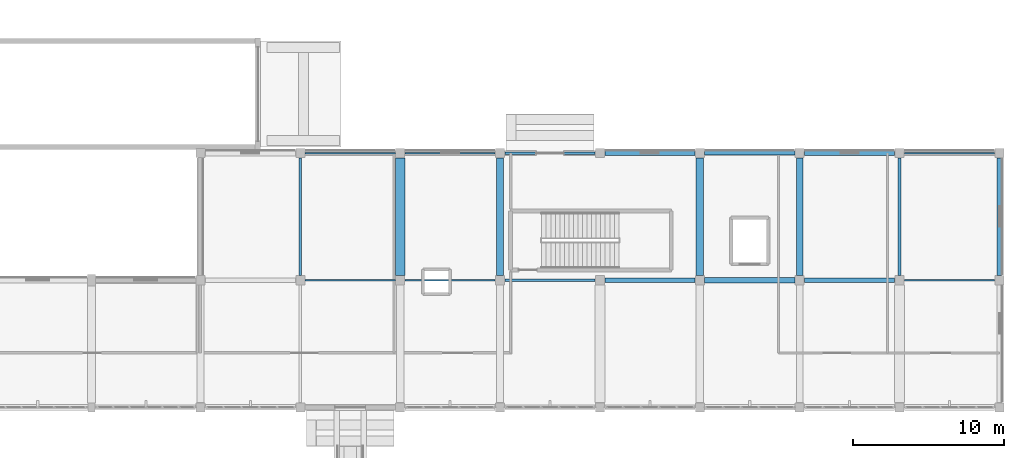
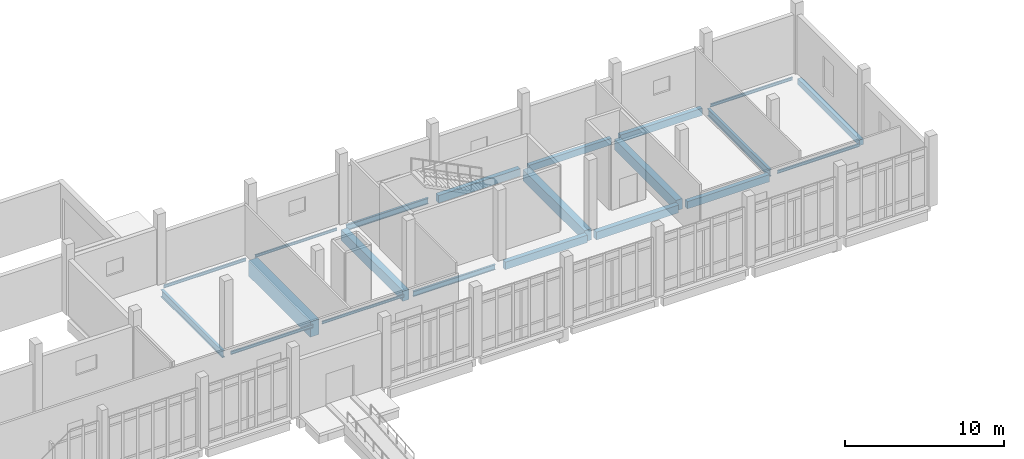
# One storey, part 67 of 110: 21 beams.
"""IFC4 building model written with IfcOpenShell, lengths in metres."""

from ifc_helpers import new_model, si_unit, direction, frame, origin, origin_2d, place, context, subcontext, project, spatial, rectangle, i_section, extrude, material, material_profile, profile_set, type_object, element, save


model = new_model("IFC4")

# Units and contexts
model_context = context("Model", 3, precision=1e-05, world=origin(), true_north=direction((0.0, 1.0)))
body_context = subcontext(model_context, "Body", "Model", "MODEL_VIEW")
ifc_project = project(units=[si_unit("LENGTHUNIT", "METRE"), si_unit("AREAUNIT", "SQUARE_METRE"), si_unit("VOLUMEUNIT", "CUBIC_METRE"), si_unit("PLANEANGLEUNIT", "RADIAN"), si_unit("MASSUNIT", "GRAM", prefix="KILO")], contexts=[model_context])

# Site, building, storey
site_placement = place(None, origin())
site = spatial("IfcSite", under=ifc_project, at=site_placement, CompositionType="ELEMENT")
building_placement = place(site_placement, origin())
building = spatial("IfcBuilding", under=site, at=building_placement, Name="Kalluvel Institute of Natural Sciences", CompositionType="ELEMENT")
storey_placement = place(building_placement, origin())
storey = spatial("IfcBuildingStorey", under=building, at=storey_placement, Name="L00", CompositionType="ELEMENT", Elevation=0.0)

# Beams
ifc_material_1 = material(Name="Steel E350 Grade 350", Category="steel")
ifc_material_profile_1 = material_profile(ifc_material_1, i_section(OverallWidth=0.10009765625, OverallDepth=0.199951171875, WebThickness=0.005615234375, FlangeThickness=0.0107421875, FilletRadius=0.010986328125, at=origin_2d()), Name="ISMB 200")
ifc_profile_set_1 = profile_set([ifc_material_profile_1], Name="Steel E350 Grade 350")
beam_type_1 = type_object("IfcBeamType", Name="BM-ISMB200", PredefinedType="BEAM", material=ifc_profile_set_1)
for number, where, z_axis, x_axis, name in (
    (1, (142.72509765625, 111.199951171875, -0.4599609375), (1.0, 0.0, 0.0), (0.0, 1.0, 0.0), "L00 girder GIR-L00-EW-X1424-Y1112"),
    (2, (142.72509765625, 119.60009765625, -0.4599609375), (1.0, 0.0, 0.0), (0.0, 1.0, 0.0), "L00 girder GIR-L00-EW-X1424-Y1196"),
):
    element("IfcBeam", number, at=place(storey_placement, frame(where, z_axis=z_axis, x_axis=x_axis)), inside=storey, type_object=beam_type_1, Name=name, PredefinedType="BEAM", context=body_context, shape_type="SweptSolid", body=[
        extrude(i_section(OverallWidth=0.10009765625, OverallDepth=0.199951171875, WebThickness=0.005615234375, FlangeThickness=0.0107421875, FilletRadius=0.010986328125, at=origin_2d()), origin(), (0.0, 0.0, 1.0), 5.949951171875),
    ])
ifc_material_profile_2 = material_profile(ifc_material_1, i_section(OverallWidth=0.110107421875, OverallDepth=0.22509765625, WebThickness=0.006591796875, FlangeThickness=0.01171875, FilletRadius=0.011962890625, at=origin_2d()), Name="ISMB 225")
ifc_profile_set_2 = profile_set([ifc_material_profile_2], Name="Steel E350 Grade 350")
beam_type_2 = type_object("IfcBeamType", Name="BM-ISMB225", PredefinedType="BEAM", material=ifc_profile_set_2)
for number, where, z_axis, x_axis, name in (
    (3, (136.125, 111.199951171875, -0.472412109375), (1.0, 0.0, 0.0), (0.0, 1.0, 0.0), "L00 girder GIR-L00-EW-X1358-Y1112"),
    (4, (175.72509765625, 111.199951171875, -0.472412109375), (1.0, 0.0, 0.0), (0.0, 1.0, 0.0), "L00 girder GIR-L00-EW-X1754-Y1112"),
    (5, (136.125, 119.60009765625, -0.472412109375), (1.0, 0.0, 0.0), (0.0, 1.0, 0.0), "L00 girder GIR-L00-EW-X1358-Y1196"),
    (6, (175.72509765625, 119.60009765625, -0.472412109375), (1.0, 0.0, 0.0), (0.0, 1.0, 0.0), "L00 girder GIR-L00-EW-X1754-Y1196"),
):
    element("IfcBeam", number, at=place(storey_placement, frame(where, z_axis=z_axis, x_axis=x_axis)), inside=storey, type_object=beam_type_2, Name=name, PredefinedType="BEAM", context=body_context, shape_type="SweptSolid", body=[
        extrude(i_section(OverallWidth=0.110107421875, OverallDepth=0.22509765625, WebThickness=0.006591796875, FlangeThickness=0.01171875, FilletRadius=0.011962890625, at=origin_2d()), origin(), (0.0, 0.0, 1.0), 5.949951171875),
    ])
ifc_material_profile_3 = material_profile(ifc_material_1, i_section(OverallWidth=0.139892578125, OverallDepth=0.39990234375, WebThickness=0.0087890625, FlangeThickness=0.01611328125, FilletRadius=0.013916015625, at=origin_2d()), Name="ISMB 400")
ifc_profile_set_3 = profile_set([ifc_material_profile_3], Name="Steel E350 Grade 350")
beam_type_3 = type_object("IfcBeamType", Name="BM-ISMB400", PredefinedType="BEAM", material=ifc_profile_set_3)
beam_1_placement = place(storey_placement, frame((149.324951171875, 111.199951171875, -0.56005859375), z_axis=(1.0, 0.0, 0.0), x_axis=(0.0, 1.0, 0.0)))
element("IfcBeam", 7, at=beam_1_placement, inside=storey, type_object=beam_type_3, Name="L00 girder GIR-L00-EW-X1490-Y1112", PredefinedType="BEAM", context=body_context, shape_type="SweptSolid", body=[
    extrude(i_section(OverallWidth=0.139892578125, OverallDepth=0.39990234375, WebThickness=0.0087890625, FlangeThickness=0.01611328125, FilletRadius=0.013916015625, at=origin_2d()), origin(), (0.0, 0.0, 1.0), 5.949951171875),
])
ifc_material_profile_4 = material_profile(ifc_material_1, i_section(OverallWidth=0.14990234375, OverallDepth=0.449951171875, WebThickness=0.009521484375, FlangeThickness=0.017333984375, FilletRadius=0.014892578125, at=origin_2d()), Name="ISMB 450")
ifc_profile_set_4 = profile_set([ifc_material_profile_4], Name="Steel E350 Grade 350")
beam_type_4 = type_object("IfcBeamType", Name="BM-ISMB450", PredefinedType="BEAM", material=ifc_profile_set_4)
beam_2_placement = place(storey_placement, frame((149.324951171875, 119.60009765625, -0.5849609375), z_axis=(1.0, 0.0, 0.0), x_axis=(0.0, 1.0, 0.0)))
element("IfcBeam", 8, at=beam_2_placement, inside=storey, type_object=beam_type_4, Name="L00 girder GIR-L00-EW-X1490-Y1196", PredefinedType="BEAM", context=body_context, shape_type="SweptSolid", body=[
    extrude(i_section(OverallWidth=0.14990234375, OverallDepth=0.449951171875, WebThickness=0.009521484375, FlangeThickness=0.017333984375, FilletRadius=0.014892578125, at=origin_2d()), origin(), (0.0, 0.0, 1.0), 5.949951171875),
])
ifc_material_profile_5 = material_profile(ifc_material_1, i_section(OverallWidth=0.18994140625, OverallDepth=0.550048828125, WebThickness=0.01123046875, FlangeThickness=0.019287109375, FilletRadius=0.01806640625, at=origin_2d()), Name="ISMB 550")
ifc_profile_set_5 = profile_set([ifc_material_profile_5], Name="Steel E350 Grade 350")
beam_type_5 = type_object("IfcBeamType", Name="BM-ISMB550", PredefinedType="BEAM", material=ifc_profile_set_5)
for number, where, z_axis, x_axis, name in (
    (9, (135.800048828125, 111.52490234375, -0.635009765625), (0.0, 1.0, 0.0), (-1.0, 0.0, 0.0), "L00 girder GIR-L00-NS-X1358-Y1112"),
    (10, (175.39990234375, 111.52490234375, -0.635009765625), (0.0, 1.0, 0.0), (-1.0, 0.0, 0.0), "L00 girder GIR-L00-NS-X1754-Y1112"),
):
    element("IfcBeam", number, at=place(storey_placement, frame(where, z_axis=z_axis, x_axis=x_axis)), inside=storey, type_object=beam_type_5, Name=name, PredefinedType="BEAM", context=body_context, shape_type="SweptSolid", body=[
        extrude(i_section(OverallWidth=0.18994140625, OverallDepth=0.550048828125, WebThickness=0.01123046875, FlangeThickness=0.019287109375, FilletRadius=0.01806640625, at=origin_2d()), origin(), (0.0, 0.0, 1.0), 7.75),
    ])
ifc_material_2 = material(Name="Concrete M40", Category="concrete")
ifc_material_profile_6 = material_profile(ifc_material_2, rectangle(XDim=0.280029296875, YDim=0.5, at=origin_2d()), Name="RCB 280x500")
ifc_profile_set_6 = profile_set([ifc_material_profile_6], Name="Concrete M40")
beam_type_6 = type_object("IfcBeamType", Name="BM-RC280x500", PredefinedType="BEAM", material=ifc_profile_set_6)
beam_3_placement = place(storey_placement, frame((162.52490234375, 119.60009765625, -0.610107421875), z_axis=(1.0, 0.0, 0.0), x_axis=(0.0, 1.0, 0.0)))
element("IfcBeam", 11, at=beam_3_placement, inside=storey, type_object=beam_type_6, Name="L00 girder GIR-L00-EW-X1622-Y1196", PredefinedType="BEAM", context=body_context, shape_type="SweptSolid", body=[
    extrude(rectangle(XDim=0.280029296875, YDim=0.5, at=origin_2d()), origin(), (0.0, 0.0, 1.0), 5.9501953125),
])
ifc_material_profile_7 = material_profile(ifc_material_2, rectangle(XDim=0.300048828125, YDim=0.550048828125, at=origin_2d()), Name="RCB 300x550")
ifc_profile_set_7 = profile_set([ifc_material_profile_7], Name="Concrete M40")
beam_type_7 = type_object("IfcBeamType", Name="BM-RC300x550", PredefinedType="BEAM", material=ifc_profile_set_7)
for number, where, z_axis, x_axis, name in (
    (12, (169.125, 111.199951171875, -0.635009765625), (1.0, 0.0, 0.0), (0.0, 1.0, 0.0), "L00 girder GIR-L00-EW-X1688-Y1112"),
    (13, (169.125, 119.60009765625, -0.635009765625), (1.0, 0.0, 0.0), (0.0, 1.0, 0.0), "L00 girder GIR-L00-EW-X1688-Y1196"),
):
    element("IfcBeam", number, at=place(storey_placement, frame(where, z_axis=z_axis, x_axis=x_axis)), inside=storey, type_object=beam_type_7, Name=name, PredefinedType="BEAM", context=body_context, shape_type="SweptSolid", body=[
        extrude(rectangle(XDim=0.300048828125, YDim=0.550048828125, at=origin_2d()), origin(), (0.0, 0.0, 1.0), 5.949951171875),
    ])
ifc_material_profile_8 = material_profile(ifc_material_2, rectangle(XDim=0.320068359375, YDim=0.580078125, at=origin_2d()), Name="RCB 320x580")
ifc_profile_set_8 = profile_set([ifc_material_profile_8], Name="Concrete M40")
beam_type_8 = type_object("IfcBeamType", Name="BM-RC320x580", PredefinedType="BEAM", material=ifc_profile_set_8)
for number, where, z_axis, x_axis, name in (
    (14, (155.925048828125, 111.199951171875, -0.64990234375), (1.0, 0.0, 0.0), (0.0, 1.0, 0.0), "L00 girder GIR-L00-EW-X1556-Y1112"),
    (15, (155.925048828125, 119.60009765625, -0.64990234375), (1.0, 0.0, 0.0), (0.0, 1.0, 0.0), "L00 girder GIR-L00-EW-X1556-Y1196"),
):
    element("IfcBeam", number, at=place(storey_placement, frame(where, z_axis=z_axis, x_axis=x_axis)), inside=storey, type_object=beam_type_8, Name=name, PredefinedType="BEAM", context=body_context, shape_type="SweptSolid", body=[
        extrude(rectangle(XDim=0.320068359375, YDim=0.580078125, at=origin_2d()), origin(), (0.0, 0.0, 1.0), 5.949951171875),
    ])
ifc_material_profile_9 = material_profile(ifc_material_2, rectangle(XDim=0.35009765625, YDim=0.60009765625, at=origin_2d()), Name="RCB 350x600")
ifc_profile_set_9 = profile_set([ifc_material_profile_9], Name="Concrete M40")
beam_type_9 = type_object("IfcBeamType", Name="BM-RC350x600", PredefinedType="BEAM", material=ifc_profile_set_9)
beam_4_placement = place(storey_placement, frame((162.52490234375, 111.199951171875, -0.659912109375), z_axis=(1.0, 0.0, 0.0), x_axis=(0.0, 1.0, 0.0)))
element("IfcBeam", 16, at=beam_4_placement, inside=storey, type_object=beam_type_9, Name="L00 girder GIR-L00-EW-X1622-Y1112", PredefinedType="BEAM", context=body_context, shape_type="SweptSolid", body=[
    extrude(rectangle(XDim=0.35009765625, YDim=0.60009765625, at=origin_2d()), origin(), (0.0, 0.0, 1.0), 5.9501953125),
])
ifc_material_profile_10 = material_profile(ifc_material_2, rectangle(XDim=0.449951171875, YDim=0.800048828125, at=origin_2d()), Name="RCB 450x800")
ifc_profile_set_10 = profile_set([ifc_material_profile_10], Name="Concrete M40")
beam_type_10 = type_object("IfcBeamType", Name="BM-RC450x800", PredefinedType="BEAM", material=ifc_profile_set_10)
for number, where, z_axis, x_axis, name in (
    (17, (149.0, 111.52490234375, -0.760009765625), (0.0, 1.0, 0.0), (-1.0, 0.0, 0.0), "L00 girder GIR-L00-NS-X1490-Y1112"),
    (18, (168.800048828125, 111.52490234375, -0.760009765625), (0.0, 1.0, 0.0), (-1.0, 0.0, 0.0), "L00 girder GIR-L00-NS-X1688-Y1112"),
):
    element("IfcBeam", number, at=place(storey_placement, frame(where, z_axis=z_axis, x_axis=x_axis)), inside=storey, type_object=beam_type_10, Name=name, PredefinedType="BEAM", context=body_context, shape_type="SweptSolid", body=[
        extrude(rectangle(XDim=0.449951171875, YDim=0.800048828125, at=origin_2d()), origin(), (0.0, 0.0, 1.0), 7.75),
    ])
ifc_material_3 = material(Name="Concrete M50", Category="concrete")
ifc_material_profile_11 = material_profile(ifc_material_3, rectangle(XDim=0.5, YDim=0.85009765625, at=origin_2d()), Name="RCB 500x850")
ifc_profile_set_11 = profile_set([ifc_material_profile_11], Name="Concrete M50")
beam_type_11 = type_object("IfcBeamType", Name="BM-RC500x850", PredefinedType="BEAM", material=ifc_profile_set_11)
beam_5_placement = place(storey_placement, frame((162.199951171875, 111.52490234375, -0.784912109375), z_axis=(0.0, 1.0, 0.0), x_axis=(-1.0, 0.0, 0.0)))
element("IfcBeam", 19, at=beam_5_placement, inside=storey, type_object=beam_type_11, Name="L00 girder GIR-L00-NS-X1622-Y1112", PredefinedType="BEAM", context=body_context, shape_type="SweptSolid", body=[
    extrude(rectangle(XDim=0.5, YDim=0.85009765625, at=origin_2d()), origin(), (0.0, 0.0, 1.0), 7.75),
])
ifc_material_profile_12 = material_profile(ifc_material_3, rectangle(XDim=0.64990234375, YDim=1.199951171875, at=origin_2d()), Name="RCB 650x1200")
ifc_profile_set_12 = profile_set([ifc_material_profile_12], Name="Concrete M50")
beam_type_12 = type_object("IfcBeamType", Name="BM-RC650x1200", PredefinedType="BEAM", material=ifc_profile_set_12)
beam_6_placement = place(storey_placement, frame((142.39990234375, 111.52490234375, -0.9599609375), z_axis=(0.0, 1.0, 0.0), x_axis=(-1.0, 0.0, 0.0)))
element("IfcBeam", 20, at=beam_6_placement, inside=storey, type_object=beam_type_12, Name="L00 girder GIR-L00-NS-X1424-Y1112", PredefinedType="BEAM", context=body_context, shape_type="SweptSolid", body=[
    extrude(rectangle(XDim=0.64990234375, YDim=1.199951171875, at=origin_2d()), origin(), (0.0, 0.0, 1.0), 7.75),
])
ifc_material_profile_13 = material_profile(ifc_material_2, rectangle(XDim=0.300048828125, YDim=0.449951171875, at=origin_2d()), Name="RCB 300x450")
ifc_profile_set_13 = profile_set([ifc_material_profile_13], Name="Concrete M40")
beam_type_13 = type_object("IfcBeamType", Name="SP-RC300x450", PredefinedType="SPANDREL", material=ifc_profile_set_13)
beam_7_placement = place(storey_placement, frame((182.0, 111.52490234375, -0.5849609375), z_axis=(0.0, 1.0, 0.0), x_axis=(-1.0, 0.0, 0.0)))
element("IfcBeam", 21, at=beam_7_placement, inside=storey, type_object=beam_type_13, Name="L00 girder GIR-L00-NS-X1820-Y1112", PredefinedType="SPANDREL", context=body_context, shape_type="SweptSolid", body=[
    extrude(rectangle(XDim=0.300048828125, YDim=0.449951171875, at=origin_2d()), origin(), (0.0, 0.0, 1.0), 7.75),
])

save(model, "model.ifc")
